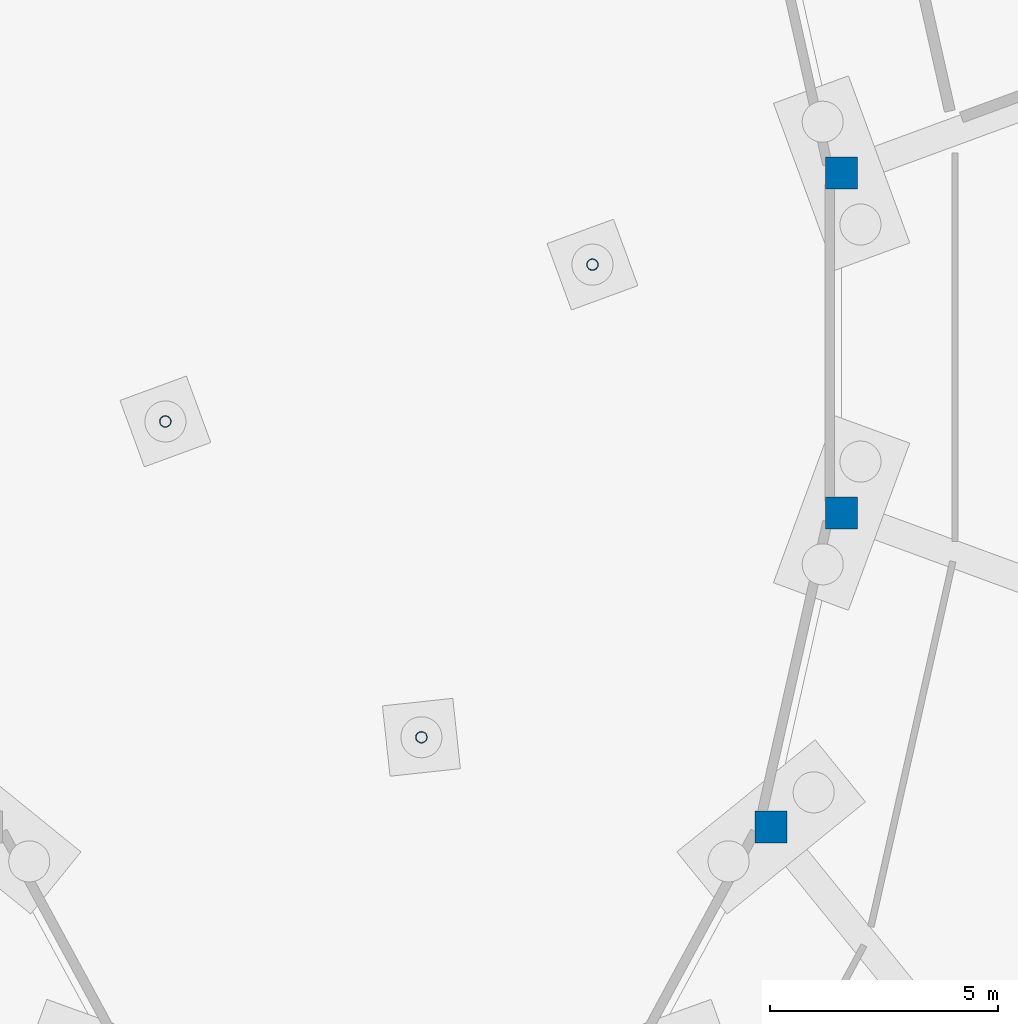
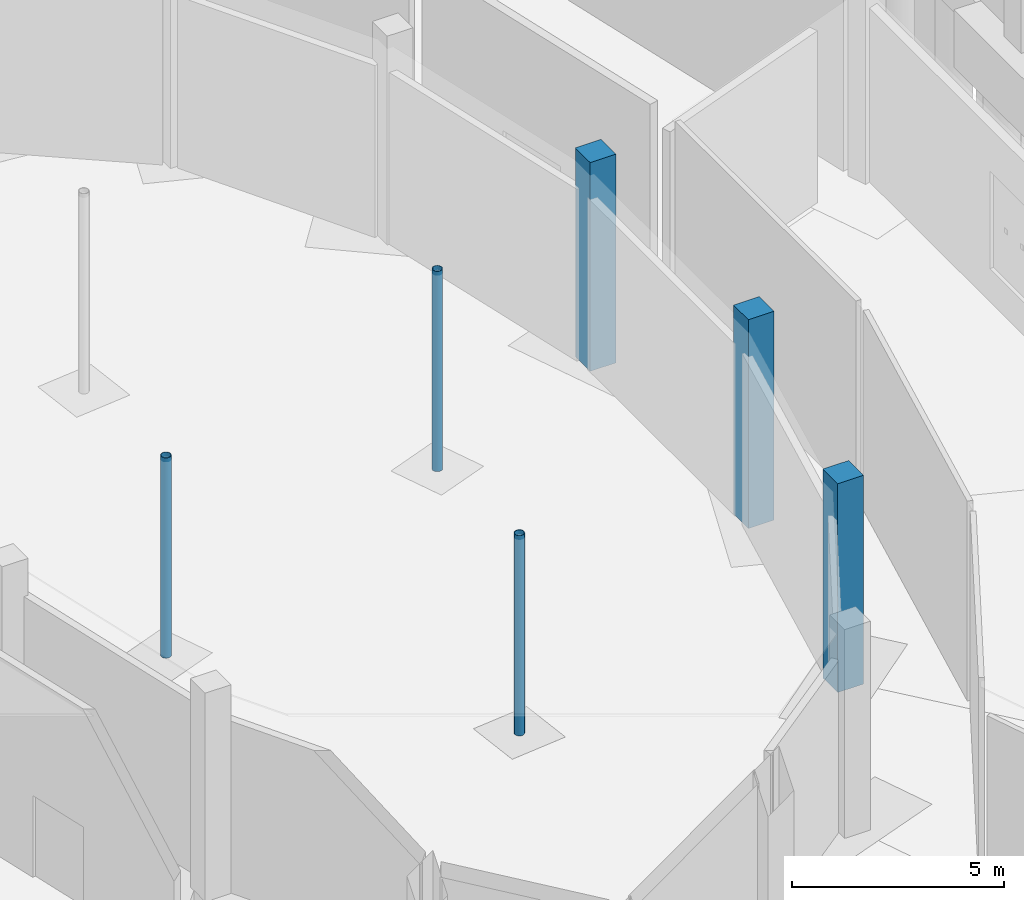
# One storey, part 23 of 140: 6 columns.
"""IFC4 building model written with IfcOpenShell, lengths in metres."""

from ifc_helpers import new_model, si_unit, direction, frame, origin, origin_2d, place, context, subcontext, project, spatial, rectangle, hollow_circle, extrude, material, material_profile, profile_set, type_object, element, save


model = new_model("IFC4")

# Units and contexts
model_context = context("Model", 3, precision=1e-05, world=origin(), true_north=direction((0.0, 1.0)))
body_context = subcontext(model_context, "Body", "Model", "MODEL_VIEW")
ifc_project = project(units=[si_unit("LENGTHUNIT", "METRE"), si_unit("AREAUNIT", "SQUARE_METRE"), si_unit("VOLUMEUNIT", "CUBIC_METRE"), si_unit("PLANEANGLEUNIT", "RADIAN"), si_unit("MASSUNIT", "GRAM", prefix="KILO")], contexts=[model_context])

# Site, building, storey
site_placement = place(None, origin())
site = spatial("IfcSite", under=ifc_project, at=site_placement, CompositionType="ELEMENT")
building_placement = place(site_placement, origin())
building = spatial("IfcBuilding", under=site, at=building_placement, Name="Corvandel Quay Wholesale Market", CompositionType="ELEMENT")
storey_placement = place(building_placement, origin())
storey = spatial("IfcBuildingStorey", under=building, at=storey_placement, Name="L00", CompositionType="ELEMENT", Elevation=0.0)

# Columns
ifc_material_1 = material(Name="Precast concrete C45/55", Category="concrete")
ifc_material_profile_1 = material_profile(ifc_material_1, rectangle(XDim=0.699951171875, YDim=0.699951171875, at=origin_2d()), Name="PC-COL-700x700")
ifc_profile_set_1 = profile_set([ifc_material_profile_1], Name="Precast concrete C45/55")
column_type_1 = type_object("IfcColumnType", Name="Precast Column C04 700x700", PredefinedType="COLUMN", material=ifc_profile_set_1)
for number, where, z_axis, x_axis, name in (
    (1, (204.639892578125, 63.72412109375, 0.0), (0.0, 0.0, 1.0), (1.0, 0.0, 0.0), "Column COL-0482"),
    (2, (203.095947265625, 49.39599609375, 0.0), (0.0, 0.0, 1.0), (1.0, 0.0, 0.0), "Column COL-0570"),
    (3, (204.639892578125, 56.27587890625, 0.0), (0.0, 0.0, 1.0), (1.0, 0.0, 0.0), "Column COL-0576"),
):
    element("IfcColumn", number, at=place(storey_placement, frame(where, z_axis=z_axis, x_axis=x_axis)), inside=storey, type_object=column_type_1, Name=name, PredefinedType="COLUMN", context=body_context, shape_type="SweptSolid", body=[
        extrude(rectangle(XDim=0.699951171875, YDim=0.699951171875, at=origin_2d()), origin(), (0.0, 0.0, 1.0), 6.0),
    ])
ifc_material_2 = material(Name="Steel A500 Grade C", Category="steel")
ifc_material_profile_2 = material_profile(ifc_material_2, hollow_circle(Radius=0.126953125, WallThickness=0.01171875, at=origin_2d()), Name="HSS10.000X0.500")
ifc_profile_set_2 = profile_set([ifc_material_profile_2], Name="Steel A500 Grade C")
column_type_2 = type_object("IfcColumnType", Name="Tubular Court Column C14 HSS10", PredefinedType="COLUMN", material=ifc_profile_set_2)
for number, where, z_axis, x_axis, name in (
    (4, (199.179931640625, 61.718994140625, 0.0), (0.0, 0.0, 1.0), (1.0, 0.0, 0.0), "Column COL-0485"),
    (5, (189.820068359375, 58.281005859375, 0.0), (0.0, 0.0, 1.0), (1.0, 0.0, 0.0), "Column COL-0535"),
    (6, (195.430908203125, 51.360107421875, 0.0), (0.0, 0.0, 1.0), (1.0, 0.0, 0.0), "Column COL-0560"),
):
    element("IfcColumn", number, at=place(storey_placement, frame(where, z_axis=z_axis, x_axis=x_axis)), inside=storey, type_object=column_type_2, Name=name, PredefinedType="COLUMN", context=body_context, shape_type="SweptSolid", body=[
        extrude(hollow_circle(Radius=0.126953125, WallThickness=0.01171875, at=origin_2d()), origin(), (0.0, 0.0, 1.0), 5.7548828125),
    ])

save(model, "model.ifc")
